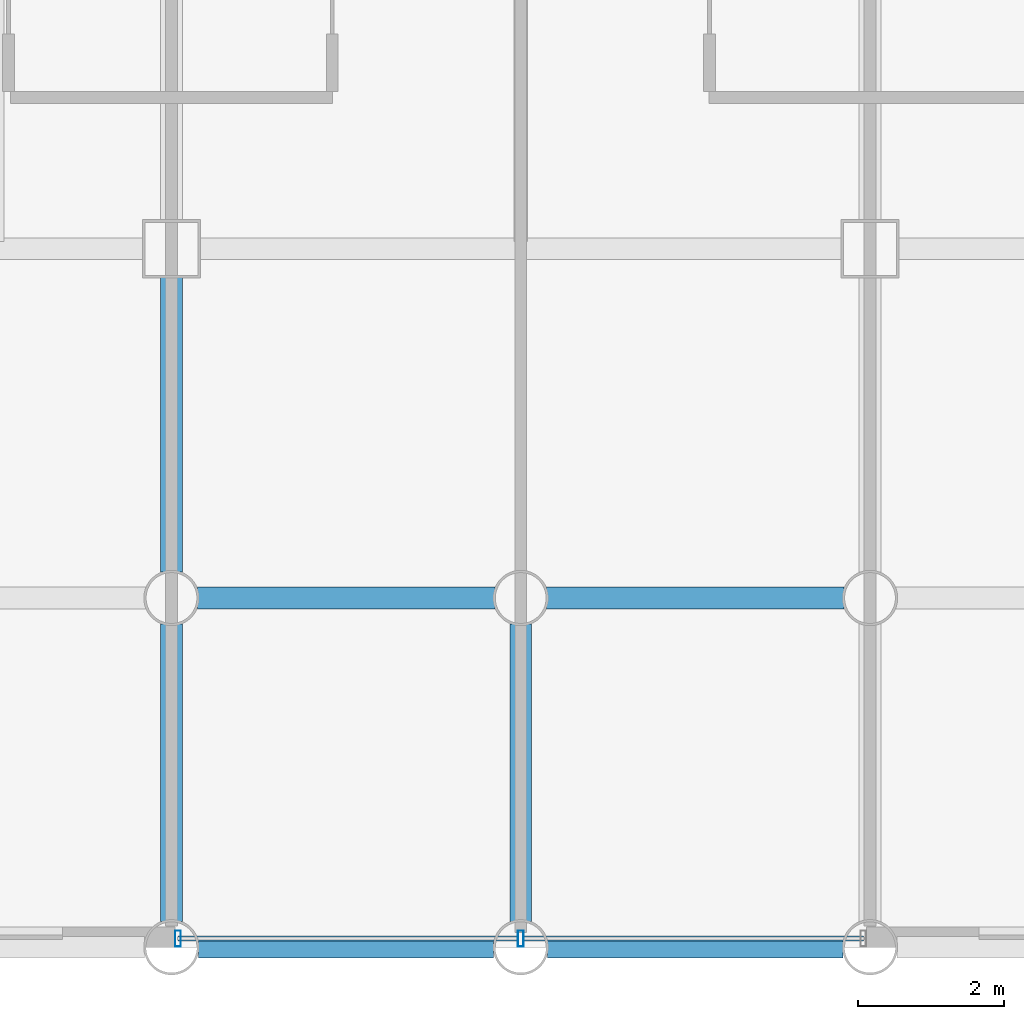
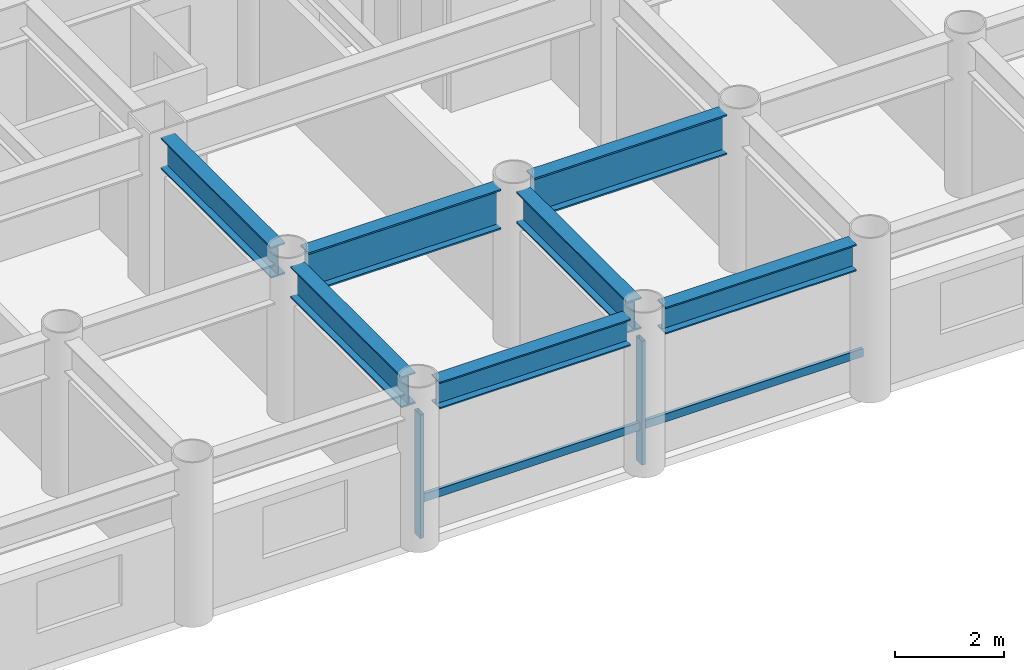
# One storey, part 2 of 21: 7 beams, 4 members, 1 element without a shape of its own.
"""IFC4 building model written with IfcOpenShell, lengths in metres."""

from ifc_helpers import new_model, si_unit, direction, frame, origin, origin_2d, place, context, subcontext, project, spatial, hollow_rectangle, i_section, extrude, material, layer, layer_set, material_profile, profile_set, type_object, element, aggregate, save


model = new_model("IFC4")

# Units and contexts
model_context = context("Model", 3, precision=1e-05, world=origin(), true_north=direction((0.0, 1.0)))
body_context = subcontext(model_context, "Body", "Model", "MODEL_VIEW")
ifc_project = project(units=[si_unit("LENGTHUNIT", "METRE"), si_unit("AREAUNIT", "SQUARE_METRE"), si_unit("VOLUMEUNIT", "CUBIC_METRE"), si_unit("PLANEANGLEUNIT", "RADIAN"), si_unit("MASSUNIT", "GRAM", prefix="KILO")], contexts=[model_context])

# Site, building, storey
site_placement = place(None, origin())
site = spatial("IfcSite", under=ifc_project, at=site_placement, CompositionType="ELEMENT")
building_placement = place(site_placement, origin())
building = spatial("IfcBuilding", under=site, at=building_placement, Name="Kallvorn Hotel Tower", CompositionType="ELEMENT")
storey_placement = place(building_placement, frame((0.0, 0.0, 81.800048828125)))
storey = spatial("IfcBuildingStorey", under=building, at=storey_placement, Name="L19", CompositionType="ELEMENT", Elevation=81.800048828125)

# Beams
ifc_material_1 = material(Name="Structural steel S355JR", Category="steel")
ifc_material_profile_1 = material_profile(ifc_material_1, i_section(OverallWidth=0.300048828125, OverallDepth=0.60009765625, WebThickness=0.015380859375, FlangeThickness=0.030029296875, at=origin_2d()), Name="HE 600 B")
ifc_profile_set_1 = profile_set([ifc_material_profile_1], Name="Structural steel S355JR")
beam_type_1 = type_object("IfcBeamType", Name="BM_HE600B", PredefinedType="SPANDREL", material=ifc_profile_set_1)
for number, where, z_axis, x_axis, name in (
    (1, (-4.428955078125, -24.0, 3.219970703125), (1.0, 0.0, 0.0), (0.0, 1.0, 0.0), "L20 Perimeter Spandrel 155"),
    (2, (0.37109375, -24.0, 3.219970703125), (1.0, 0.0, 0.0), (0.0, 1.0, 0.0), "L20 Perimeter Spandrel 156"),
):
    element("IfcBeam", number, at=place(storey_placement, frame(where, z_axis=z_axis, x_axis=x_axis)), inside=storey, type_object=beam_type_1, Name=name, PredefinedType="SPANDREL", context=body_context, shape_type="SweptSolid", body=[
        extrude(i_section(OverallWidth=0.300048828125, OverallDepth=0.60009765625, WebThickness=0.015380859375, FlangeThickness=0.030029296875, at=origin_2d()), origin(), (0.0, 0.0, 1.0), 4.057861328125),
    ])
ifc_material_2 = material(Name="Structural steel S355JR", Category="steel")
ifc_material_profile_2 = material_profile(ifc_material_2, i_section(OverallWidth=0.300048828125, OverallDepth=0.699951171875, WebThickness=0.01708984375, FlangeThickness=0.031982421875, at=origin_2d()), Name="HE 700 B")
ifc_profile_set_2 = profile_set([ifc_material_profile_2], Name="Structural steel S355JR")
beam_type_2 = type_object("IfcBeamType", Name="BM_HE700B", PredefinedType="BEAM", material=ifc_profile_set_2)
beam_1_placement = place(storey_placement, frame((-4.800048828125, -23.64404296875, 3.169921875), z_axis=(0.0, 1.0, 0.0), x_axis=(-1.0, 0.0, 0.0)))
element("IfcBeam", 3, at=beam_1_placement, inside=storey, type_object=beam_type_2, Name="L20 Primary Y-Girder 105", PredefinedType="BEAM", context=body_context, shape_type="SweptSolid", body=[
    extrude(i_section(OverallWidth=0.300048828125, OverallDepth=0.699951171875, WebThickness=0.01708984375, FlangeThickness=0.031982421875, at=origin_2d()), origin(), (0.0, 0.0, 1.0), 4.088134765625),
])
beam_2_placement = place(storey_placement, frame((-4.800048828125, -18.843994140625, 3.169921875), z_axis=(0.0, 1.0, 0.0), x_axis=(-1.0, 0.0, 0.0)))
element("IfcBeam", 4, at=beam_2_placement, inside=storey, type_object=beam_type_2, Name="L20 Primary Y-Girder 106", PredefinedType="BEAM", context=body_context, shape_type="SweptSolid", body=[
    extrude(i_section(OverallWidth=0.300048828125, OverallDepth=0.699951171875, WebThickness=0.01708984375, FlangeThickness=0.031982421875, at=origin_2d()), origin(), (0.0, 0.0, 1.0), 4.069091796875),
])
beam_3_placement = place(storey_placement, frame((0.0, -23.64404296875, 3.169921875), z_axis=(0.0, 1.0, 0.0), x_axis=(-1.0, 0.0, 0.0)))
element("IfcBeam", 5, at=beam_3_placement, inside=storey, type_object=beam_type_2, Name="L20 Primary Y-Girder 110", PredefinedType="BEAM", context=body_context, shape_type="SweptSolid", body=[
    extrude(i_section(OverallWidth=0.300048828125, OverallDepth=0.699951171875, WebThickness=0.01708984375, FlangeThickness=0.031982421875, at=origin_2d()), origin(), (0.0, 0.0, 1.0), 4.088134765625),
])
ifc_material_3 = material(Name="Structural steel S355JR", Category="steel")
ifc_material_profile_3 = material_profile(ifc_material_3, i_section(OverallWidth=0.300048828125, OverallDepth=0.89990234375, WebThickness=0.0185546875, FlangeThickness=0.034912109375, at=origin_2d()), Name="HE 900 B")
ifc_profile_set_3 = profile_set([ifc_material_profile_3], Name="Structural steel S355JR")
beam_type_3 = type_object("IfcBeamType", Name="BM_HE900B", PredefinedType="BEAM", material=ifc_profile_set_3)
for number, where, z_axis, x_axis, name in (
    (6, (-4.444091796875, -19.199951171875, 3.070068359375), (1.0, 0.0, 0.0), (0.0, 1.0, 0.0), "L20 Primary X-Girder 06"),
    (7, (0.35595703125, -19.199951171875, 3.070068359375), (1.0, 0.0, 0.0), (0.0, 1.0, 0.0), "L20 Primary X-Girder 07"),
):
    element("IfcBeam", number, at=place(storey_placement, frame(where, z_axis=z_axis, x_axis=x_axis)), inside=storey, type_object=beam_type_3, Name=name, PredefinedType="BEAM", context=body_context, shape_type="SweptSolid", body=[
        extrude(i_section(OverallWidth=0.300048828125, OverallDepth=0.89990234375, WebThickness=0.0185546875, FlangeThickness=0.034912109375, at=origin_2d()), origin(), (0.0, 0.0, 1.0), 4.088134765625),
    ])

# Curtain wall, members
ifc_material_4 = material(Name="Thermally broken black-anodised aluminium AA 6063-T6", Category="aluminium")
ifc_layer = layer(ifc_material_4, 0.199951171875)
ifc_layer_set = layer_set([ifc_layer], Name="CW_SYS_3_HOTEL_LOW")
curtain_wall_type = type_object("IfcCurtainWallType", Name="CW_SYS_3_HOTEL_LOW", PredefinedType="USERDEFINED", material=ifc_layer_set)
curtain_wall_placement = place(storey_placement, origin())
curtain_wall = element("IfcCurtainWall", 8, at=curtain_wall_placement, inside=storey, type_object=curtain_wall_type, Name="L19 Dark-Glass Curtain Wall CW-L19-SC", ObjectType="UNITISED CURTAIN WALL", PredefinedType="USERDEFINED")
ifc_material_5 = material(Name="Thermally broken black-anodised aluminium AA 6063-T6", Category="aluminium")
ifc_material_profile_4 = material_profile(ifc_material_5, hollow_rectangle(XDim=0.080078125, YDim=0.219970703125, WallThickness=0.0048828125, at=origin_2d()), Name="MUL 220x80")
ifc_profile_set_4 = profile_set([ifc_material_profile_4], Name="Thermally broken black-anodised aluminium AA 6063-T6")
member_type_1 = type_object("IfcMemberType", Name="CW_MULLION_220x80", PredefinedType="MULLION", material=ifc_profile_set_4)
member_1_placement = place(storey_placement, frame((-4.7099609375, -23.8798828125, 0.02001953125), z_axis=(0.0, 0.0, 1.0), x_axis=(1.0, 0.0, 0.0)))
member_1 = element("IfcMember", 9, at=member_1_placement, type_object=member_type_1, Name="CW-L19-SC Mullion 00", PredefinedType="MULLION", context=body_context, shape_type="SweptSolid", body=[
    extrude(hollow_rectangle(XDim=0.080078125, YDim=0.219970703125, WallThickness=0.0048828125, at=origin_2d()), origin(), (0.0, 0.0, 1.0), 2.780029296875),
])
member_2_placement = place(storey_placement, frame((0.0, -23.8798828125, 0.02001953125), z_axis=(0.0, 0.0, 1.0), x_axis=(1.0, 0.0, 0.0)))
member_2 = element("IfcMember", 10, at=member_2_placement, type_object=member_type_1, Name="CW-L19-SC Mullion 01", PredefinedType="MULLION", context=body_context, shape_type="SweptSolid", body=[
    extrude(hollow_rectangle(XDim=0.080078125, YDim=0.219970703125, WallThickness=0.0048828125, at=origin_2d()), origin(), (0.0, 0.0, 1.0), 2.780029296875),
])
ifc_material_6 = material(Name="Thermally broken black-anodised aluminium AA 6063-T6", Category="aluminium")
ifc_material_profile_5 = material_profile(ifc_material_6, hollow_rectangle(XDim=0.070068359375, YDim=0.179931640625, WallThickness=0.00390625, at=origin_2d()), Name="TRN 180x70")
ifc_profile_set_5 = profile_set([ifc_material_profile_5], Name="Thermally broken black-anodised aluminium AA 6063-T6")
member_type_2 = type_object("IfcMemberType", Name="CW_TRANSOM_180x70", PredefinedType="USERDEFINED", material=ifc_profile_set_5)
member_3_placement = place(storey_placement, frame((-4.7099609375, -23.8798828125, 0.849853515625), z_axis=(1.0, 0.0, 0.0), x_axis=(0.0, 1.0, 0.0)))
member_3 = element("IfcMember", 11, at=member_3_placement, type_object=member_type_2, Name="CW-L19-SC Transom 00M", ObjectType="TRANSOM", PredefinedType="USERDEFINED", context=body_context, shape_type="SweptSolid", body=[
    extrude(hollow_rectangle(XDim=0.070068359375, YDim=0.179931640625, WallThickness=0.00390625, at=origin_2d()), origin(), (0.0, 0.0, 1.0), 4.669921875),
])
member_4_placement = place(storey_placement, frame((0.0400390625, -23.8798828125, 0.849853515625), z_axis=(1.0, 0.0, 0.0), x_axis=(0.0, 1.0, 0.0)))
member_4 = element("IfcMember", 12, at=member_4_placement, type_object=member_type_2, Name="CW-L19-SC Transom 01M", ObjectType="TRANSOM", PredefinedType="USERDEFINED", context=body_context, shape_type="SweptSolid", body=[
    extrude(hollow_rectangle(XDim=0.070068359375, YDim=0.179931640625, WallThickness=0.00390625, at=origin_2d()), origin(), (0.0, 0.0, 1.0), 4.669921875),
])
aggregate(curtain_wall, [member_1, member_2, member_3, member_4])

save(model, "model.ifc")
